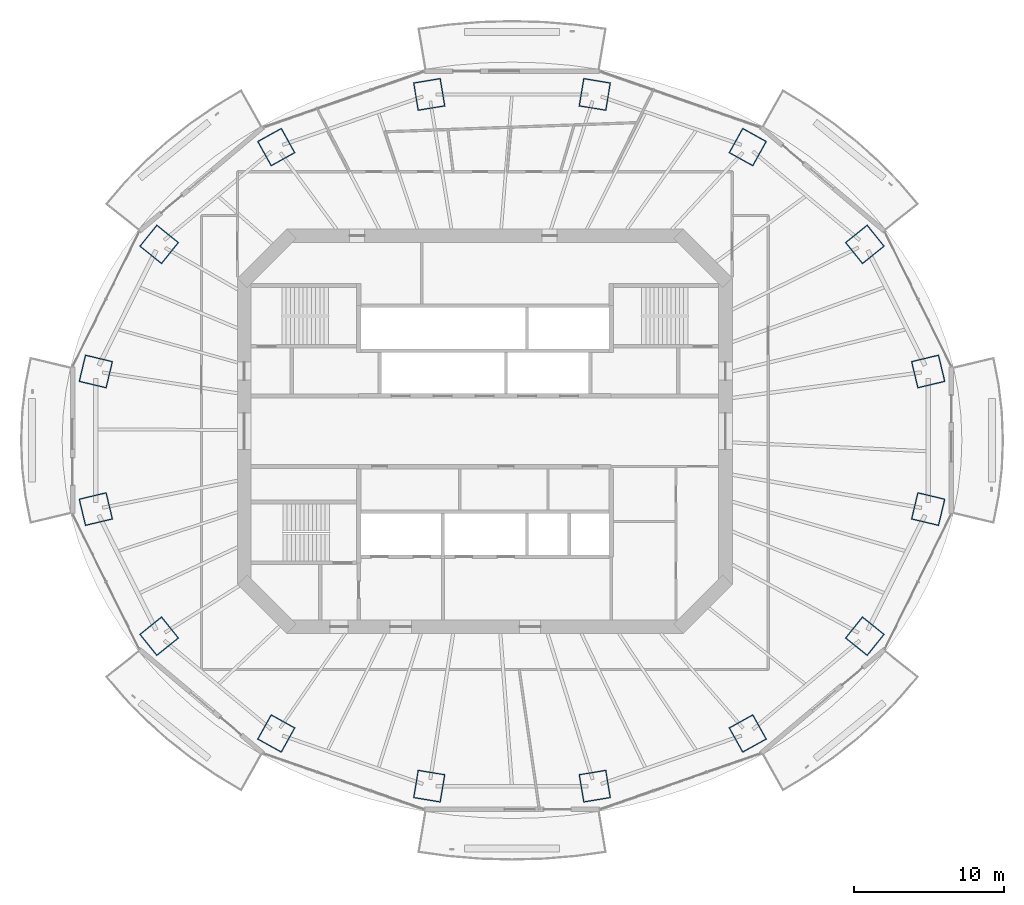
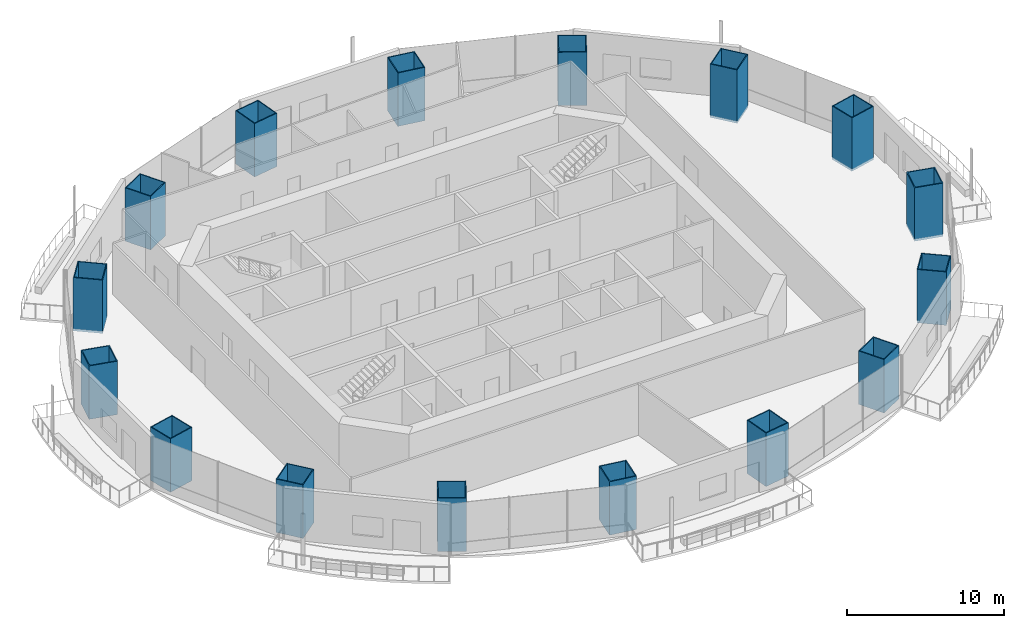
# One storey, part 1 of 19: 16 columns.
"""IFC4 building model written with IfcOpenShell, lengths in metres."""

from ifc_helpers import new_model, si_unit, direction, frame, origin, origin_2d, place, context, subcontext, project, spatial, rectangle, hollow_rectangle, extrude, material, material_profile, profile_set, type_object, element, save


model = new_model("IFC4")

# Units and contexts
model_context = context("Model", 3, precision=1e-05, world=origin(), true_north=direction((0.0, 1.0)))
body_context = subcontext(model_context, "Body", "Model", "MODEL_VIEW")
ifc_project = project(units=[si_unit("LENGTHUNIT", "METRE"), si_unit("AREAUNIT", "SQUARE_METRE"), si_unit("VOLUMEUNIT", "CUBIC_METRE"), si_unit("PLANEANGLEUNIT", "RADIAN"), si_unit("MASSUNIT", "GRAM", prefix="KILO")], contexts=[model_context])

# Site, building, storey
site_placement = place(None, origin())
site = spatial("IfcSite", under=ifc_project, at=site_placement, CompositionType="ELEMENT")
building_placement = place(site_placement, origin())
building = spatial("IfcBuilding", under=site, at=building_placement, Name="Marenthal Gate Tower", CompositionType="ELEMENT")
storey_placement = place(building_placement, frame((0.0, 0.0, 256.5)))
storey = spatial("IfcBuildingStorey", under=building, at=storey_placement, Name="L57", CompositionType="ELEMENT", Elevation=256.5)

# Columns
ifc_material_1 = material(Name="Steel S460", Category="steel")
ifc_material_profile_1 = material_profile(ifc_material_1, hollow_rectangle(XDim=1.85009765625, YDim=1.89990234375, WallThickness=0.06494140625, at=origin_2d()), Name="CFT BOX 1900X1850X65")
ifc_material_2 = material(Name="Concrete 70 MPa", Category="concrete")
ifc_material_profile_2 = material_profile(ifc_material_2, rectangle(XDim=1.719970703125, YDim=1.77001953125, at=origin_2d()), Name="CFT BOX 1900X1850X65 INFILL")
ifc_profile_set = profile_set([ifc_material_profile_1, ifc_material_profile_2], Name="Steel S460 shell, Concrete 70 MPa infill")
column_type = type_object("IfcColumnType", Name="CFT BOX 1900X1850X65", PredefinedType="COLUMN", material=ifc_profile_set)
for number, where, z_axis, x_axis, name in (
    (1, (29.480712890625, 3.9755859375, -0.179931640625), (0.0, 0.0, 1.0), (0.232783438617, -0.972528596343, 0.0), "COL-L57-01"),
    (2, (25.2666015625, 12.430419921875, -0.179931640625), (0.0, 0.0, 1.0), (0.626614692914, -0.779329215816, 0.0), "COL-L57-02"),
    (3, (17.47998046875, 18.9013671875, -0.179931640625), (0.0, 0.0, 1.0), (0.874262393624, -0.485453671419, 0.0), "COL-L57-03"),
    (4, (7.305908203125, 22.4033203125, -0.179931640625), (0.0, 0.0, 1.0), (0.986611470936, -0.163088336238, 0.0), "COL-L57-04"),
    (5, (-3.7060546875, 22.4033203125, -0.179931640625), (0.0, 0.0, 1.0), (0.986611470936, 0.163088336238, 0.0), "COL-L57-05"),
    (6, (-13.8798828125, 18.9013671875, -0.179931640625), (0.0, 0.0, 1.0), (0.874262393624, 0.485453671419, 0.0), "COL-L57-06"),
    (7, (-21.66650390625, 12.430419921875, -0.179931640625), (0.0, 0.0, 1.0), (0.626614692914, 0.779329215816, 0.0), "COL-L57-07"),
    (8, (-25.880615234375, 3.9755859375, -0.179931640625), (0.0, 0.0, 1.0), (0.232783438617, 0.972528596343, 0.0), "COL-L57-08"),
    (9, (-25.880615234375, -5.175537109375, -0.179931640625), (0.0, 0.0, 1.0), (-0.232783438617, 0.972528596343, 0.0), "COL-L57-09"),
    (10, (-21.66650390625, -13.63037109375, -0.179931640625), (0.0, 0.0, 1.0), (-0.626614692914, 0.779329215816, 0.0), "COL-L57-10"),
    (11, (-13.8798828125, -20.101318359375, -0.179931640625), (0.0, 0.0, 1.0), (-0.874262393624, 0.485453671419, 0.0), "COL-L57-11"),
    (12, (-3.7060546875, -23.603271484375, -0.179931640625), (0.0, 0.0, 1.0), (-0.986611470936, 0.163088336238, 0.0), "COL-L57-12"),
    (13, (7.305908203125, -23.603271484375, -0.179931640625), (0.0, 0.0, 1.0), (-0.986611470936, -0.163088336238, 0.0), "COL-L57-13"),
    (14, (17.47998046875, -20.101318359375, -0.179931640625), (0.0, 0.0, 1.0), (-0.874262393624, -0.485453671419, 0.0), "COL-L57-14"),
    (15, (25.2666015625, -13.63037109375, -0.179931640625), (0.0, 0.0, 1.0), (-0.626614692914, -0.779329215816, 0.0), "COL-L57-15"),
    (16, (29.480712890625, -5.175537109375, -0.179931640625), (0.0, 0.0, 1.0), (-0.232783438617, -0.972528596343, 0.0), "COL-L57-16"),
):
    element("IfcColumn", number, at=place(storey_placement, frame(where, z_axis=z_axis, x_axis=x_axis)), inside=storey, type_object=column_type, Name=name, PredefinedType="COLUMN", context=body_context, shape_type="SweptSolid", body=[
        extrude(hollow_rectangle(XDim=1.85009765625, YDim=1.89990234375, WallThickness=0.06494140625, at=origin_2d()), origin(), (0.0, 0.0, 1.0), 4.14990234375),
    ])

save(model, "model.ifc")
